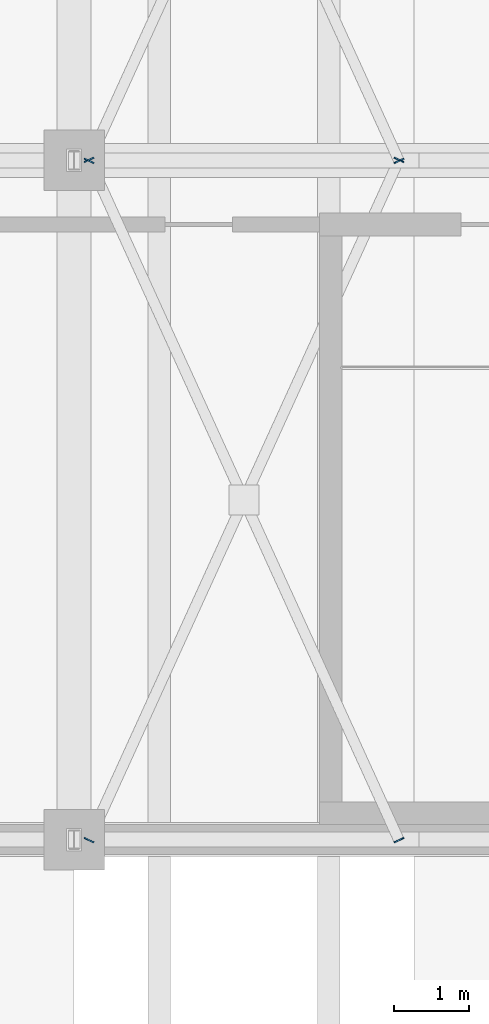
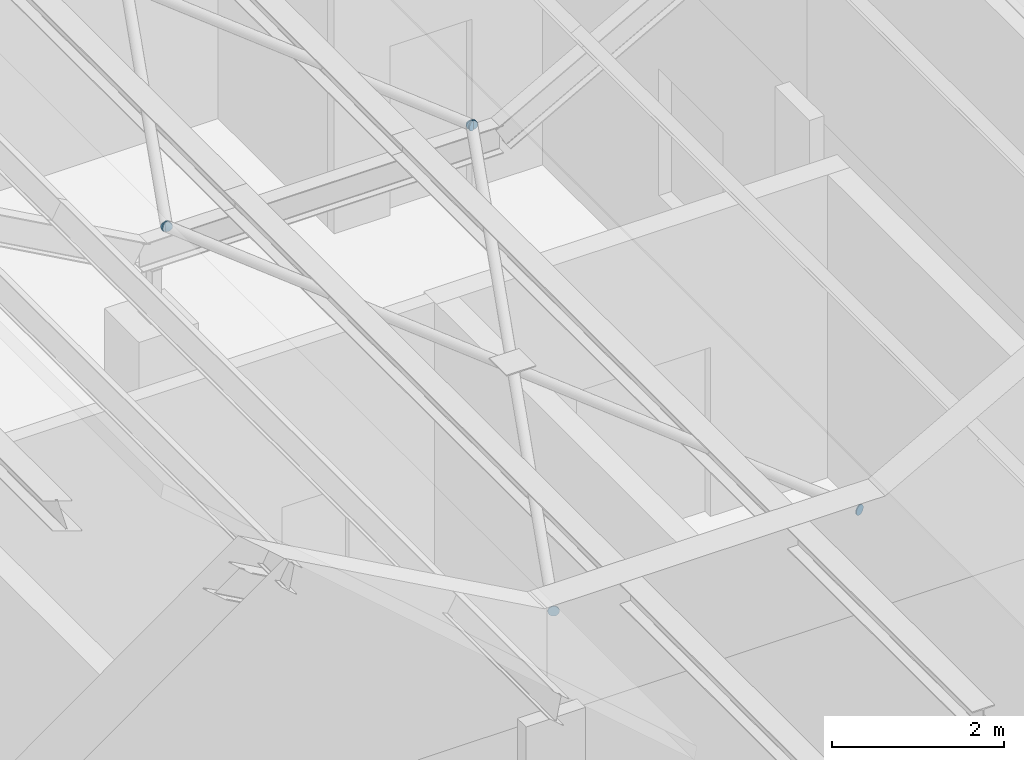
# One storey, part 255 of 437: 6 plates.
"""IFC4 building model written with IfcOpenShell, lengths in metres."""

from ifc_helpers import new_model, si_unit, direction, frame, origin, place, context, subcontext, project, spatial, polyline, outline, extrude, material, layer, layer_set, type_object, element, save


model = new_model("IFC4")

# Units and contexts
model_context = context("Model", 3, precision=1e-05, world=origin(), true_north=direction((0.0, 1.0)))
body_context = subcontext(model_context, "Body", "Model", "MODEL_VIEW")
ifc_project = project(units=[si_unit("LENGTHUNIT", "METRE"), si_unit("AREAUNIT", "SQUARE_METRE"), si_unit("VOLUMEUNIT", "CUBIC_METRE"), si_unit("PLANEANGLEUNIT", "RADIAN"), si_unit("MASSUNIT", "GRAM", prefix="KILO")], contexts=[model_context])

# Site, building, storey
site_placement = place(None, origin())
site = spatial("IfcSite", under=ifc_project, at=site_placement, CompositionType="ELEMENT")
building_placement = place(site_placement, origin())
building = spatial("IfcBuilding", under=site, at=building_placement, Name="Opaline Strait Convention Centre", CompositionType="ELEMENT")
storey_placement = place(building_placement, frame((0.0, 0.0, 11.5)))
storey = spatial("IfcBuildingStorey", under=building, at=storey_placement, Name="L02", CompositionType="ELEMENT", Elevation=11.5)

# Plates
ifc_material = material(Name="Steel Q355B", Category="steel")
ifc_layer = layer(ifc_material, 0.014892578125)
ifc_layer_set = layer_set([ifc_layer], Name="Steel Q355B")
plate_type = type_object("IfcPlateType", Name="Brace end plate 15 Q355B", PredefinedType="SHEET", material=ifc_layer_set)
plate_1_placement = place(storey_placement, frame((72.263671875, 8.970947265625, 5.8701171875), z_axis=(0.415113120833, 0.909769804353, 0.0), x_axis=(-0.177885602626, 0.081166298666, -0.980698090311)))
element("IfcPlate", 1, at=plate_1_placement, inside=storey, type_object=plate_type, Name="Brace end plate 1-72-1 A", PredefinedType="SHEET", context=body_context, shape_type="SweptSolid", body=[
    extrude(outline(polyline([(0.0, 0.0), (0.027384032879565874, 8.673617379884035e-19), (0.05259810512352661, 0.010342830025946591), (0.07188713763616415, 0.029675078027945424), (0.08240900482074467, 0.0549792678324168), (0.082396029238314, 0.08238385763677121), (0.07195253030535285, 0.10741759014200784), (0.05267637813642449, 0.12685720839116532), (0.02738619718093451, 0.13735920839058052), (0.00024159254607343875, 0.13731147202694682), (-0.02501590880009087, 0.12675081741365854), (-0.044261512210524837, 0.10763639399900138), (-0.054783379395105344, 0.08233220419453002), (-0.054770403812674694, 0.0549276143901756), (-0.044370333981917115, 0.029676057297597293), (-0.02505075271078518, 0.010454263635781492), (0.0, 0.0)])), origin(), (0.0, 0.0, -1.0), 0.014892578125),
])
plate_2_placement = place(storey_placement, frame((76.369873046875, 17.984619140625, 5.8701171875), z_axis=(0.414836562991, 0.909895942406, 0.0), x_axis=(-0.177910529408, 0.08111234384, -0.980698032629)))
element("IfcPlate", 2, at=plate_2_placement, inside=storey, type_object=plate_type, Name="Brace end plate 1-72-1 B", PredefinedType="SHEET", context=body_context, shape_type="SweptSolid", body=[
    extrude(outline(polyline([(0.0, 0.0), (0.027384034490214523, 0.0), (0.05259810373367019, 0.01034279223465002), (0.07188715209514629, 0.02967508543352096), (0.08240902159594816, 0.054979246310342914), (0.08237624613104702, 0.08228448671060286), (0.07195256152583068, 0.1074175665672149), (0.05267641506137637, 0.1268571903509166), (0.027386238814677905, 0.13735920588947814), (0.00024163255508571554, 0.13731146945521194), (-0.025015871876213673, 0.12675082244502134), (-0.04428128786816646, 0.10753706043741668), (-0.054783354550647916, 0.08233222314486904), (-0.05477038190406719, 0.054927659160334784), (-0.04437032966837416, 0.029676048112456443), (-0.025050748016076124, 0.010454279104295326), (0.0, 0.0)])), origin(), (0.0, 0.0, -1.0), 0.014892578125),
])
plate_3_placement = place(storey_placement, frame((76.36376953125, 9.029052734375, 5.8701171875), z_axis=(-0.415113120833, 0.909769804353, 0.0), x_axis=(-0.177885602626, -0.081166298666, -0.980698090311)))
element("IfcPlate", 3, at=plate_3_placement, inside=storey, type_object=plate_type, Name="Brace end plate 1-72-2 A", PredefinedType="SHEET", context=body_context, shape_type="SweptSolid", body=[
    extrude(outline(polyline([(0.0, 0.0), (0.027384032879565874, 8.673617379884035e-19), (0.052641534225730174, 0.010560654613288265), (0.07188713763616415, 0.029675078027945424), (0.08240900482074467, 0.0549792678324168), (0.082396029238314, 0.08238385763677121), (0.07199595940755642, 0.10763541472934952), (0.05267637813642449, 0.12685720839116532), (0.02738619718093451, 0.13735920839058052), (0.00024159254607343875, 0.13731147202694682), (-0.024972479697887306, 0.12696864200100022), (-0.044261512210524837, 0.10763639399900138), (-0.054783379395105344, 0.08233220419453002), (-0.054770403812674694, 0.0549276143901756), (-0.04432690487971355, 0.029893881884938966), (-0.02505075271078518, 0.010454263635781492), (0.0, 0.0)])), origin(), (0.0, 0.0, -1.0), 0.014892578125),
])
plate_4_placement = place(storey_placement, frame((72.257568359375, 18.042724609375, 5.8701171875), z_axis=(-0.414836562991, 0.909895942406, 0.0), x_axis=(-0.177910529408, -0.08111234384, -0.980698032629)))
element("IfcPlate", 4, at=plate_4_placement, inside=storey, type_object=plate_type, Name="Brace end plate 1-72-3 B", PredefinedType="SHEET", context=body_context, shape_type="SweptSolid", body=[
    extrude(outline(polyline([(0.0, 0.0), (0.027384034490214523, 0.0), (0.0526415389215139, 0.010560647010190617), (0.0719069549134667, 0.029774409017795267), (0.08240902159594816, 0.054979246310342914), (0.08239604894936743, 0.08238381029487717), (0.07199599671367439, 0.10763542134275551), (0.05267641506137637, 0.1268571903509166), (0.027386238814677905, 0.13735920588947814), (0.00024163255508571554, 0.13731146945521194), (-0.02497243668836996, 0.12696867722056193), (-0.04426148504984605, 0.10763638402169098), (-0.054783354550647916, 0.08233222314486904), (-0.05475057908574677, 0.05502698274460909), (-0.04432689448053045, 0.029893902887997044), (-0.025050748016076124, 0.010454279104295326), (0.0, 0.0)])), origin(), (0.0, 0.0, -1.0), 0.014892578125),
])
plate_5_placement = place(storey_placement, frame((72.263671875, 17.970947265625, 5.8701171875), z_axis=(0.415113120833, 0.909769804353, 0.0), x_axis=(-0.177885602626, 0.081166298666, -0.980698090311)))
element("IfcPlate", 5, at=plate_5_placement, inside=storey, type_object=plate_type, Name="Brace end plate 2-72-1 A", PredefinedType="SHEET", context=body_context, shape_type="SweptSolid", body=[
    extrude(outline(polyline([(0.0, 0.0), (0.027384032879565874, 8.673617379884035e-19), (0.05259810512352661, 0.010342830025946591), (0.07188713763616415, 0.029675078027945424), (0.08240900482074467, 0.0549792678324168), (0.082396029238314, 0.08238385763677121), (0.07195253030535285, 0.10741759014200784), (0.05267637813642449, 0.12685720839116532), (0.02738619718093451, 0.13735920839058052), (0.00024159254607343875, 0.13731147202694682), (-0.02501590880009087, 0.12675081741365854), (-0.044261512210524837, 0.10763639399900138), (-0.054783379395105344, 0.08233220419453002), (-0.054770403812674694, 0.0549276143901756), (-0.044370333981917115, 0.029676057297597293), (-0.02505075271078518, 0.010454263635781492), (0.0, 0.0)])), origin(), (0.0, 0.0, -1.0), 0.014892578125),
])
plate_6_placement = place(storey_placement, frame((76.36376953125, 18.029052734375, 5.8701171875), z_axis=(-0.415113120833, 0.909769804353, 0.0), x_axis=(-0.177885602626, -0.081166298666, -0.980698090311)))
element("IfcPlate", 6, at=plate_6_placement, inside=storey, type_object=plate_type, Name="Brace end plate 2-72-2 A", PredefinedType="SHEET", context=body_context, shape_type="SweptSolid", body=[
    extrude(outline(polyline([(0.0, 0.0), (0.027384032879565874, 8.673617379884035e-19), (0.052641534225730174, 0.010560654613288265), (0.07188713763616415, 0.029675078027945424), (0.08240900482074467, 0.0549792678324168), (0.082396029238314, 0.08238385763677121), (0.07199595940755642, 0.10763541472934952), (0.05267637813642449, 0.12685720839116532), (0.02738619718093451, 0.13735920839058052), (0.00024159254607343875, 0.13731147202694682), (-0.024972479697887306, 0.12696864200100022), (-0.044261512210524837, 0.10763639399900138), (-0.054783379395105344, 0.08233220419453002), (-0.054770403812674694, 0.0549276143901756), (-0.04432690487971355, 0.029893881884938966), (-0.02505075271078518, 0.010454263635781492), (0.0, 0.0)])), origin(), (0.0, 0.0, -1.0), 0.014892578125),
])

save(model, "model.ifc")
